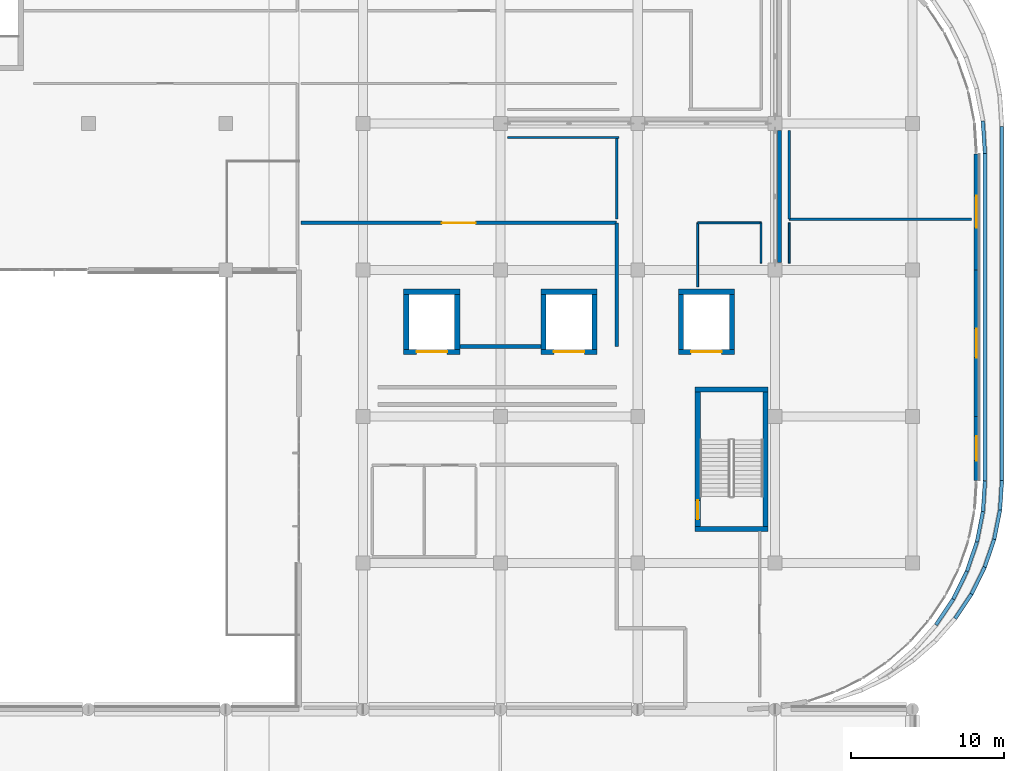
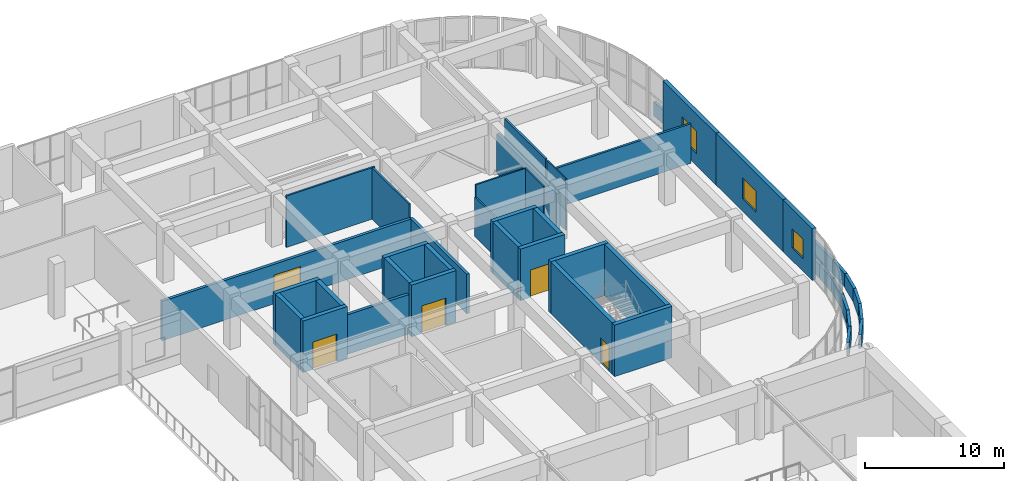
# One storey, part 72 of 96: 44 walls, 5 doors, 3 windows, 8 openings.
"""IFC4 building model written with IfcOpenShell, lengths in metres."""

from ifc_helpers import new_model, si_unit, direction, frame, frame_2d, origin, place, context, subcontext, project, spatial, rectangle, extrude, material, layer, layer_set, type_object, element, fill, save


model = new_model("IFC4")

# Units and contexts
model_context = context("Model", 3, precision=1e-05, world=origin(), true_north=direction((0.0, 1.0)))
body_context = subcontext(model_context, "Body", "Model", "MODEL_VIEW")
ifc_project = project(units=[si_unit("LENGTHUNIT", "METRE"), si_unit("AREAUNIT", "SQUARE_METRE"), si_unit("VOLUMEUNIT", "CUBIC_METRE"), si_unit("PLANEANGLEUNIT", "RADIAN"), si_unit("MASSUNIT", "GRAM", prefix="KILO")], contexts=[model_context])

# Site, building, storey
site_placement = place(None, origin())
site = spatial("IfcSite", under=ifc_project, at=site_placement, CompositionType="ELEMENT")
building_placement = place(site_placement, origin())
building = spatial("IfcBuilding", under=site, at=building_placement, Name="Cendralis Terraced Arcade", CompositionType="ELEMENT")
storey_placement = place(building_placement, frame((0.0, 0.0, 10.199951171875)))
storey = spatial("IfcBuildingStorey", under=building, at=storey_placement, Name="L02", CompositionType="ELEMENT", Elevation=10.199951171875)

# Walls
ifc_material_1 = material(Name="Concrete f'c 42 MPa", Category="concrete")
ifc_layer_1 = layer(ifc_material_1, 0.340087890625, Name="WL-CORE-340")
ifc_layer_set_1 = layer_set([ifc_layer_1], Name="Concrete f'c 42 MPa")
wall_type_1 = type_object("IfcWallType", Name="WL-CORE-340", PredefinedType="SHEAR", material=ifc_layer_set_1)
for number, where, z_axis, x_axis, name in (
    (1, (151.9599609375, 71.830078125, 0.0), (0.0, 0.0, 1.0), (1.0, 0.0, 0.0), "Stair Core Reinforced Concrete Shear Wall SW-ST-06-L02-S"),
    (2, (151.9599609375, 80.969970703125, 0.0), (0.0, 0.0, 1.0), (1.0, 0.0, 0.0), "Stair Core Reinforced Concrete Shear Wall SW-ST-06-L02-N"),
):
    element("IfcWall", number, at=place(storey_placement, frame(where, z_axis=z_axis, x_axis=x_axis)), inside=storey, type_object=wall_type_1, Name=name, PredefinedType="SHEAR", context=body_context, shape_type="SweptSolid", body=[
        extrude(rectangle(XDim=4.780029296875, YDim=0.340087890625, at=frame_2d((2.39013671875, 0.0))), origin(), (0.0, 0.0, 1.0), 4.51513671875),
    ])
wall_1_placement = place(storey_placement, frame((156.570068359375, 72.0, 0.0), z_axis=(0.0, 0.0, 1.0), x_axis=(0.0, 1.0, 0.0)))
element("IfcWall", 3, at=wall_1_placement, inside=storey, type_object=wall_type_1, Name="Stair Core Reinforced Concrete Shear Wall SW-ST-06-L02-E", PredefinedType="SHEAR", context=body_context, shape_type="SweptSolid", body=[
    extrude(rectangle(XDim=8.800048828125, YDim=0.340087890625, at=frame_2d((4.39990234375, 0.0))), origin(), (0.0, 0.0, 1.0), 4.51513671875),
])

# Wall, opening, door
wall_2_placement = place(storey_placement, frame((152.1298828125, 72.0, 0.0), z_axis=(0.0, 0.0, 1.0), x_axis=(0.0, 1.0, 0.0)))
wall_2 = element("IfcWall", 4, at=wall_2_placement, inside=storey, type_object=wall_type_1, Name="Stair Core Reinforced Concrete Shear Wall SW-ST-06-L02-W", PredefinedType="SHEAR", context=body_context, shape_type="SweptSolid", body=[
    extrude(rectangle(XDim=8.800048828125, YDim=0.340087890625, at=frame_2d((4.39990234375, 0.0))), origin(), (0.0, 0.0, 1.0), 4.51513671875),
])
opening_1_placement = place(wall_2_placement, frame((0.449951171875, 0.0, 0.0)))
opening_1 = element("IfcOpeningElement", 5, at=opening_1_placement, cuts=wall_2, Name="Opening D-ST-06-L02", PredefinedType="OPENING", context=body_context, shape_type="SweptSolid", body=[
    extrude(rectangle(XDim=1.25, YDim=2.199951171875, at=frame_2d((0.625, 1.10009765625))), frame((0.0, 0.18212890625, 0.0), z_axis=(0.0, -1.0, 0.0), x_axis=(1.0, 0.0, 0.0)), (0.0, 0.0, 1.0), 0.364013671875),
])
ifc_material_2 = material(Name="Galvanised fire-rated steel door assembly", Category="steel")
door_type_1 = type_object("IfcDoorType", Name="ID-ST-1250x2200", OperationType="NOTDEFINED", PredefinedType="DOOR", material=ifc_material_2)
door_1_placement = place(opening_1_placement, frame((1.25, 0.0, 0.0), z_axis=(0.0, 0.0, 1.0), x_axis=(-1.0, 0.0, 0.0)))
door_1 = element("IfcDoor", 6, at=door_1_placement, inside=storey, type_object=door_type_1, Name="Protected Stair ST-06 Fire Door (L02)", OperationType="SINGLE_SWING_RIGHT", OverallHeight=2.199951171875, OverallWidth=1.25, PredefinedType="DOOR", context=body_context, shape_type="SweptSolid", body=[
    extrude(rectangle(XDim=1.25, YDim=2.199951171875, at=frame_2d((0.625, 1.10009765625))), frame((0.0, 0.02490234375, 0.0), z_axis=(0.0, -1.0, 0.0), x_axis=(1.0, 0.0, 0.0)), (0.0, 0.0, 1.0), 0.050048828125),
])
fill(opening_1, door_1)

wall_3_placement = place(storey_placement, frame((132.860107421875, 83.429931640625, 0.0), z_axis=(0.0, 0.0, 1.0), x_axis=(1.0, 0.0, 0.0)))
wall_3 = element("IfcWall", 7, at=wall_3_placement, inside=storey, type_object=wall_type_1, Name="Lift GL-01 Reinforced Concrete Shaft Wall (L02)", PredefinedType="SHEAR", context=body_context, shape_type="SweptSolid", body=[
    extrude(rectangle(XDim=3.679931640625, YDim=0.340087890625, at=frame_2d((1.83984375, 0.0))), origin(), (0.0, 0.0, 1.0), 4.51513671875),
])
opening_2_placement = place(wall_3_placement, frame((0.840087890625, 0.0, 0.0)))
opening_2 = element("IfcOpeningElement", 8, at=opening_2_placement, cuts=wall_3, Name="Opening LD-GL-01-L02", PredefinedType="OPENING", context=body_context, shape_type="SweptSolid", body=[
    extrude(rectangle(XDim=2.0, YDim=2.39990234375, at=frame_2d((1.0, 1.199951171875))), frame((0.0, 0.18212890625, 0.0), z_axis=(0.0, -1.0, 0.0), x_axis=(1.0, 0.0, 0.0)), (0.0, 0.0, 1.0), 0.364013671875),
])
ifc_material_3 = material(Name="Anodised aluminium sliding door assembly", Category="aluminium")
door_type_2 = type_object("IfcDoorType", Name="ID-LD-GD-2000x2400", OperationType="DOUBLE_DOOR_SLIDING", PredefinedType="DOOR", material=ifc_material_3)
door_2_placement = place(opening_2_placement, origin())
door_2 = element("IfcDoor", 9, at=door_2_placement, inside=storey, type_object=door_type_2, Name="Lift GL-01 Sliding Landing Door (L02)", OperationType="DOUBLE_DOOR_SLIDING", OverallHeight=2.39990234375, OverallWidth=2.0, PredefinedType="DOOR", context=body_context, shape_type="SweptSolid", body=[
    extrude(rectangle(XDim=2.0, YDim=2.39990234375, at=frame_2d((1.0, 1.199951171875))), frame((0.0, 0.02490234375, 0.0), z_axis=(0.0, -1.0, 0.0), x_axis=(1.0, 0.0, 0.0)), (0.0, 0.0, 1.0), 0.050048828125),
])
fill(opening_2, door_2)

# Walls
wall_4_placement = place(storey_placement, frame((132.860107421875, 87.3701171875, 0.0), z_axis=(0.0, 0.0, 1.0), x_axis=(1.0, 0.0, 0.0)))
element("IfcWall", 10, at=wall_4_placement, inside=storey, type_object=wall_type_1, Name="Lift GL-01 Reinforced Concrete Shaft Wall (L02)", PredefinedType="SHEAR", context=body_context, shape_type="SweptSolid", body=[
    extrude(rectangle(XDim=3.679931640625, YDim=0.340087890625, at=frame_2d((1.83984375, 0.0))), origin(), (0.0, 0.0, 1.0), 4.51513671875),
])
for number, where, z_axis, x_axis, name in (
    (11, (133.030029296875, 83.60009765625, 0.0), (0.0, 0.0, 1.0), (0.0, 1.0, 0.0), "Lift GL-01 Reinforced Concrete Shaft Wall (L02)"),
    (12, (136.3701171875, 83.60009765625, 0.0), (0.0, 0.0, 1.0), (0.0, 1.0, 0.0), "Lift GL-01 Reinforced Concrete Shaft Wall (L02)"),
):
    element("IfcWall", number, at=place(storey_placement, frame(where, z_axis=z_axis, x_axis=x_axis)), inside=storey, type_object=wall_type_1, Name=name, PredefinedType="SHEAR", context=body_context, shape_type="SweptSolid", body=[
        extrude(rectangle(XDim=3.599853515625, YDim=0.340087890625, at=frame_2d((1.7998046875, 0.0))), origin(), (0.0, 0.0, 1.0), 4.51513671875),
    ])

# Wall, opening, door
wall_5_placement = place(storey_placement, frame((141.860107421875, 83.429931640625, 0.0), z_axis=(0.0, 0.0, 1.0), x_axis=(1.0, 0.0, 0.0)))
wall_5 = element("IfcWall", 13, at=wall_5_placement, inside=storey, type_object=wall_type_1, Name="Lift GL-02 Reinforced Concrete Shaft Wall (L02)", PredefinedType="SHEAR", context=body_context, shape_type="SweptSolid", body=[
    extrude(rectangle(XDim=3.679931640625, YDim=0.340087890625, at=frame_2d((1.83984375, 0.0))), origin(), (0.0, 0.0, 1.0), 4.51513671875),
])
opening_3_placement = place(wall_5_placement, frame((0.840087890625, 0.0, 0.0)))
opening_3 = element("IfcOpeningElement", 14, at=opening_3_placement, cuts=wall_5, Name="Opening LD-GL-02-L02", PredefinedType="OPENING", context=body_context, shape_type="SweptSolid", body=[
    extrude(rectangle(XDim=2.0, YDim=2.39990234375, at=frame_2d((1.0, 1.199951171875))), frame((0.0, 0.18212890625, 0.0), z_axis=(0.0, -1.0, 0.0), x_axis=(1.0, 0.0, 0.0)), (0.0, 0.0, 1.0), 0.364013671875),
])
door_3_placement = place(opening_3_placement, origin())
door_3 = element("IfcDoor", 15, at=door_3_placement, inside=storey, type_object=door_type_2, Name="Lift GL-02 Sliding Landing Door (L02)", OperationType="DOUBLE_DOOR_SLIDING", OverallHeight=2.39990234375, OverallWidth=2.0, PredefinedType="DOOR", context=body_context, shape_type="SweptSolid", body=[
    extrude(rectangle(XDim=2.0, YDim=2.39990234375, at=frame_2d((1.0, 1.199951171875))), frame((0.0, 0.02490234375, 0.0), z_axis=(0.0, -1.0, 0.0), x_axis=(1.0, 0.0, 0.0)), (0.0, 0.0, 1.0), 0.050048828125),
])
fill(opening_3, door_3)

# Walls
wall_6_placement = place(storey_placement, frame((141.860107421875, 87.3701171875, 0.0), z_axis=(0.0, 0.0, 1.0), x_axis=(1.0, 0.0, 0.0)))
element("IfcWall", 16, at=wall_6_placement, inside=storey, type_object=wall_type_1, Name="Lift GL-02 Reinforced Concrete Shaft Wall (L02)", PredefinedType="SHEAR", context=body_context, shape_type="SweptSolid", body=[
    extrude(rectangle(XDim=3.679931640625, YDim=0.340087890625, at=frame_2d((1.83984375, 0.0))), origin(), (0.0, 0.0, 1.0), 4.51513671875),
])
for number, where, z_axis, x_axis, name in (
    (17, (142.030029296875, 83.60009765625, 0.0), (0.0, 0.0, 1.0), (0.0, 1.0, 0.0), "Lift GL-02 Reinforced Concrete Shaft Wall (L02)"),
    (18, (145.3701171875, 83.60009765625, 0.0), (0.0, 0.0, 1.0), (0.0, 1.0, 0.0), "Lift GL-02 Reinforced Concrete Shaft Wall (L02)"),
):
    element("IfcWall", number, at=place(storey_placement, frame(where, z_axis=z_axis, x_axis=x_axis)), inside=storey, type_object=wall_type_1, Name=name, PredefinedType="SHEAR", context=body_context, shape_type="SweptSolid", body=[
        extrude(rectangle(XDim=3.599853515625, YDim=0.340087890625, at=frame_2d((1.7998046875, 0.0))), origin(), (0.0, 0.0, 1.0), 4.51513671875),
    ])

# Wall, opening, door
wall_7_placement = place(storey_placement, frame((150.860107421875, 83.429931640625, 0.0), z_axis=(0.0, 0.0, 1.0), x_axis=(1.0, 0.0, 0.0)))
wall_7 = element("IfcWall", 19, at=wall_7_placement, inside=storey, type_object=wall_type_1, Name="Lift GL-03 Reinforced Concrete Shaft Wall (L02)", PredefinedType="SHEAR", context=body_context, shape_type="SweptSolid", body=[
    extrude(rectangle(XDim=3.679931640625, YDim=0.340087890625, at=frame_2d((1.83984375, 0.0))), origin(), (0.0, 0.0, 1.0), 4.51513671875),
])
opening_4_placement = place(wall_7_placement, frame((0.840087890625, 0.0, 0.0)))
opening_4 = element("IfcOpeningElement", 20, at=opening_4_placement, cuts=wall_7, Name="Opening LD-GL-03-L02", PredefinedType="OPENING", context=body_context, shape_type="SweptSolid", body=[
    extrude(rectangle(XDim=2.0, YDim=2.39990234375, at=frame_2d((1.0, 1.199951171875))), frame((0.0, 0.18212890625, 0.0), z_axis=(0.0, -1.0, 0.0), x_axis=(1.0, 0.0, 0.0)), (0.0, 0.0, 1.0), 0.364013671875),
])
door_4_placement = place(opening_4_placement, origin())
door_4 = element("IfcDoor", 21, at=door_4_placement, inside=storey, type_object=door_type_2, Name="Lift GL-03 Sliding Landing Door (L02)", OperationType="DOUBLE_DOOR_SLIDING", OverallHeight=2.39990234375, OverallWidth=2.0, PredefinedType="DOOR", context=body_context, shape_type="SweptSolid", body=[
    extrude(rectangle(XDim=2.0, YDim=2.39990234375, at=frame_2d((1.0, 1.199951171875))), frame((0.0, 0.02490234375, 0.0), z_axis=(0.0, -1.0, 0.0), x_axis=(1.0, 0.0, 0.0)), (0.0, 0.0, 1.0), 0.050048828125),
])
fill(opening_4, door_4)

# Walls
wall_8_placement = place(storey_placement, frame((150.860107421875, 87.3701171875, 0.0), z_axis=(0.0, 0.0, 1.0), x_axis=(1.0, 0.0, 0.0)))
element("IfcWall", 22, at=wall_8_placement, inside=storey, type_object=wall_type_1, Name="Lift GL-03 Reinforced Concrete Shaft Wall (L02)", PredefinedType="SHEAR", context=body_context, shape_type="SweptSolid", body=[
    extrude(rectangle(XDim=3.679931640625, YDim=0.340087890625, at=frame_2d((1.83984375, 0.0))), origin(), (0.0, 0.0, 1.0), 4.51513671875),
])
for number, where, z_axis, x_axis, name in (
    (23, (151.030029296875, 83.60009765625, 0.0), (0.0, 0.0, 1.0), (0.0, 1.0, 0.0), "Lift GL-03 Reinforced Concrete Shaft Wall (L02)"),
    (24, (154.3701171875, 83.60009765625, 0.0), (0.0, 0.0, 1.0), (0.0, 1.0, 0.0), "Lift GL-03 Reinforced Concrete Shaft Wall (L02)"),
):
    element("IfcWall", number, at=place(storey_placement, frame(where, z_axis=z_axis, x_axis=x_axis)), inside=storey, type_object=wall_type_1, Name=name, PredefinedType="SHEAR", context=body_context, shape_type="SweptSolid", body=[
        extrude(rectangle(XDim=3.599853515625, YDim=0.340087890625, at=frame_2d((1.7998046875, 0.0))), origin(), (0.0, 0.0, 1.0), 4.51513671875),
    ])

# Wall, opening, window
ifc_material_4 = material(Name="Precast concrete f'c 40 MPa", Category="concrete")
ifc_layer_2 = layer(ifc_material_4, 0.300048828125, Name="WL-EXT-GRC-300")
ifc_layer_set_2 = layer_set([ifc_layer_2], Name="Precast concrete f'c 40 MPa")
wall_type_2 = type_object("IfcWallType", Name="WL-EXT-GRC-300", PredefinedType="SOLIDWALL", material=ifc_layer_set_2)
wall_9_placement = place(storey_placement, frame((170.39990234375, 96.39990234375, 0.0), z_axis=(0.0, 0.0, 1.0), x_axis=(0.0, -1.0, 0.0)))
wall_9 = element("IfcWall", 25, at=wall_9_placement, inside=storey, type_object=wall_type_2, Name="Exterior Architectural Wall EW-L02-0188", PredefinedType="SOLIDWALL", context=body_context, shape_type="SweptSolid", body=[
    extrude(rectangle(XDim=7.599853515625, YDim=0.300048828125, at=frame_2d((3.7998046875, 0.0))), origin(), (0.0, 0.0, 1.0), 4.51513671875),
])
opening_5_placement = place(wall_9_placement, frame((2.75, 0.0, 1.050048828125)))
opening_5 = element("IfcOpeningElement", 26, at=opening_5_placement, cuts=wall_9, Name="Opening W-12", PredefinedType="OPENING", context=body_context, shape_type="SweptSolid", body=[
    extrude(rectangle(XDim=2.10009765625, YDim=1.949951171875, at=frame_2d((1.050048828125, 0.97509765625))), frame((0.0, 0.162109375, 0.0), z_axis=(0.0, -1.0, 0.0), x_axis=(1.0, 0.0, 0.0)), (0.0, 0.0, 1.0), 0.323974609375),
])
ifc_material_5 = material(Name="Tempered solar control laminated glass", Category="glass")
window_type_1 = type_object("IfcWindowType", Name="WN-F2-2100x1950", PartitioningType="SINGLE_PANEL", PredefinedType="WINDOW", material=ifc_material_5)
window_1_placement = place(opening_5_placement, origin())
window_1 = element("IfcWindow", 27, at=window_1_placement, inside=storey, type_object=window_type_1, Name="Exterior Solar-Control Window WN-L02-0121", OverallHeight=1.949951171875, OverallWidth=2.10009765625, PartitioningType="SINGLE_PANEL", PredefinedType="WINDOW", context=body_context, shape_type="SweptSolid", body=[
    extrude(rectangle(XDim=2.10009765625, YDim=1.949951171875, at=frame_2d((1.050048828125, 0.97509765625))), frame((0.0, 0.030029296875, 0.0), z_axis=(0.0, -1.0, 0.0), x_axis=(1.0, 0.0, 0.0)), (0.0, 0.0, 1.0), 0.06005859375),
])
fill(opening_5, window_1)

wall_10_placement = place(storey_placement, frame((170.39990234375, 88.800048828125, 0.0), z_axis=(0.0, 0.0, 1.0), x_axis=(0.0, -1.0, 0.0)))
wall_10 = element("IfcWall", 28, at=wall_10_placement, inside=storey, type_object=wall_type_2, Name="Exterior Architectural Wall EW-L02-0189", PredefinedType="SOLIDWALL", context=body_context, shape_type="SweptSolid", body=[
    extrude(rectangle(XDim=9.60009765625, YDim=0.300048828125, at=frame_2d((4.800048828125, 0.0))), origin(), (0.0, 0.0, 1.0), 4.51513671875),
])
opening_6_placement = place(wall_10_placement, frame((3.85009765625, 0.0, 1.10009765625)))
opening_6 = element("IfcOpeningElement", 29, at=opening_6_placement, cuts=wall_10, Name="Opening W-13", PredefinedType="OPENING", context=body_context, shape_type="SweptSolid", body=[
    extrude(rectangle(XDim=1.89990234375, YDim=1.85009765625, at=frame_2d((0.949951171875, 0.925048828125))), frame((0.0, 0.162109375, 0.0), z_axis=(0.0, -1.0, 0.0), x_axis=(1.0, 0.0, 0.0)), (0.0, 0.0, 1.0), 0.323974609375),
])
window_type_2 = type_object("IfcWindowType", Name="WN-F2-1900x1850", PartitioningType="SINGLE_PANEL", PredefinedType="WINDOW", material=ifc_material_5)
window_2_placement = place(opening_6_placement, origin())
window_2 = element("IfcWindow", 30, at=window_2_placement, inside=storey, type_object=window_type_2, Name="Exterior Solar-Control Window WN-L02-0122", OverallHeight=1.85009765625, OverallWidth=1.89990234375, PartitioningType="SINGLE_PANEL", PredefinedType="WINDOW", context=body_context, shape_type="SweptSolid", body=[
    extrude(rectangle(XDim=1.89990234375, YDim=1.85009765625, at=frame_2d((0.949951171875, 0.925048828125))), frame((0.0, 0.030029296875, 0.0), z_axis=(0.0, -1.0, 0.0), x_axis=(1.0, 0.0, 0.0)), (0.0, 0.0, 1.0), 0.06005859375),
])
fill(opening_6, window_2)

wall_11_placement = place(storey_placement, frame((170.39990234375, 79.199951171875, 0.0), z_axis=(0.0, 0.0, 1.0), x_axis=(0.0, -1.0, 0.0)))
wall_11 = element("IfcWall", 31, at=wall_11_placement, inside=storey, type_object=wall_type_2, Name="Exterior Architectural Wall EW-L02-0190", PredefinedType="SOLIDWALL", context=body_context, shape_type="SweptSolid", body=[
    extrude(rectangle(XDim=4.199951171875, YDim=0.300048828125, at=frame_2d((2.10009765625, 0.0))), origin(), (0.0, 0.0, 1.0), 4.51513671875),
])
opening_7_placement = place(wall_11_placement, frame((1.300048828125, 0.0, 1.10009765625)))
opening_7 = element("IfcOpeningElement", 32, at=opening_7_placement, cuts=wall_11, Name="Opening W-28", PredefinedType="OPENING", context=body_context, shape_type="SweptSolid", body=[
    extrude(rectangle(XDim=1.60009765625, YDim=1.699951171875, at=frame_2d((0.800048828125, 0.85009765625))), frame((0.0, 0.162109375, 0.0), z_axis=(0.0, -1.0, 0.0), x_axis=(1.0, 0.0, 0.0)), (0.0, 0.0, 1.0), 0.323974609375),
])
window_type_3 = type_object("IfcWindowType", Name="WN-F3-1600x1700", PartitioningType="SINGLE_PANEL", PredefinedType="WINDOW", material=ifc_material_5)
window_3_placement = place(opening_7_placement, origin())
window_3 = element("IfcWindow", 33, at=window_3_placement, inside=storey, type_object=window_type_3, Name="Exterior Solar-Control Window WN-L02-0123", OverallHeight=1.699951171875, OverallWidth=1.60009765625, PartitioningType="SINGLE_PANEL", PredefinedType="WINDOW", context=body_context, shape_type="SweptSolid", body=[
    extrude(rectangle(XDim=1.60009765625, YDim=1.699951171875, at=frame_2d((0.800048828125, 0.85009765625))), frame((0.0, 0.030029296875, 0.0), z_axis=(0.0, -1.0, 0.0), x_axis=(1.0, 0.0, 0.0)), (0.0, 0.0, 1.0), 0.06005859375),
])
fill(opening_7, window_3)

# Wall, opening, door
ifc_material_6 = material(Name="Autoclaved aerated concrete blockwork", Category="masonry")
ifc_layer_3 = layer(ifc_material_6, 0.235107421875, Name="WL-FIRE-235")
ifc_layer_set_3 = layer_set([ifc_layer_3], Name="Autoclaved aerated concrete blockwork")
wall_type_3 = type_object("IfcWallType", Name="WL-FIRE-235", PredefinedType="PARTITIONING", material=ifc_layer_set_3)
wall_12_placement = place(storey_placement, frame((126.1201171875, 91.8798828125, 0.0), z_axis=(0.0, 0.0, 1.0), x_axis=(1.0, 0.0, 0.0)))
wall_12 = element("IfcWall", 34, at=wall_12_placement, inside=storey, type_object=wall_type_3, Name="Interior Partition Wall IW-L02-0499", PredefinedType="PARTITIONING", context=body_context, shape_type="SweptSolid", body=[
    extrude(rectangle(XDim=20.699951171875, YDim=0.235107421875, at=frame_2d((10.35009765625, 0.0))), origin(), (0.0, 0.0, 1.0), 3.455078125),
])
opening_8_placement = place(wall_12_placement, frame((9.25, 0.0, 0.0)))
opening_8 = element("IfcOpeningElement", 35, at=opening_8_placement, cuts=wall_12, Name="Opening D-L02-136", PredefinedType="OPENING", context=body_context, shape_type="SweptSolid", body=[
    extrude(rectangle(XDim=2.199951171875, YDim=2.5, at=frame_2d((1.10009765625, 1.25))), frame((0.0, 0.12939453125, 0.0), z_axis=(0.0, -1.0, 0.0), x_axis=(1.0, 0.0, 0.0)), (0.0, 0.0, 1.0), 0.259033203125),
])
door_type_3 = type_object("IfcDoorType", Name="ID-STK-2200x2500", OperationType="DOUBLE_DOOR_SINGLE_SWING", PredefinedType="DOOR", material=ifc_material_2)
door_5_placement = place(opening_8_placement, origin())
door_5 = element("IfcDoor", 36, at=door_5_placement, inside=storey, type_object=door_type_3, Name="Central Stockrooms and Automated Picking - L02 Door D-L02-136", OperationType="DOUBLE_DOOR_SINGLE_SWING", OverallHeight=2.5, OverallWidth=2.199951171875, PredefinedType="DOOR", context=body_context, shape_type="SweptSolid", body=[
    extrude(rectangle(XDim=2.199951171875, YDim=2.5, at=frame_2d((1.10009765625, 1.25))), frame((0.0, 0.02490234375, 0.0), z_axis=(0.0, -1.0, 0.0), x_axis=(1.0, 0.0, 0.0)), (0.0, 0.0, 1.0), 0.050048828125),
])
fill(opening_8, door_5)

# Walls
wall_13_placement = place(storey_placement, frame((146.820068359375, 91.8798828125, 0.0), z_axis=(0.0, 0.0, 1.0), x_axis=(0.0, -1.0, 0.0)))
element("IfcWall", 37, at=wall_13_placement, inside=storey, type_object=wall_type_3, Name="Interior Partition Wall IW-L02-0504", PredefinedType="PARTITIONING", context=body_context, shape_type="SweptSolid", body=[
    extrude(rectangle(XDim=8.099853515625, YDim=0.235107421875, at=frame_2d((4.0498046875, 0.0))), origin(), (0.0, 0.0, 1.0), 3.455078125),
])
wall_14_placement = place(storey_placement, frame((141.860107421875, 83.780029296875, 0.0), z_axis=(0.0, 0.0, 1.0), x_axis=(-1.0, 0.0, 0.0)))
element("IfcWall", 38, at=wall_14_placement, inside=storey, type_object=wall_type_3, Name="Interior Partition Wall IW-L02-0506", PredefinedType="PARTITIONING", context=body_context, shape_type="SweptSolid", body=[
    extrude(rectangle(XDim=5.320068359375, YDim=0.235107421875, at=frame_2d((2.66015625, 0.0))), origin(), (0.0, 0.0, 1.0), 3.455078125),
])
ifc_layer_4 = layer(ifc_material_6, 0.260009765625, Name="WL-FIRE-260")
ifc_layer_set_4 = layer_set([ifc_layer_4], Name="Autoclaved aerated concrete blockwork")
wall_type_4 = type_object("IfcWallType", Name="WL-FIRE-260", PredefinedType="PARTITIONING", material=ifc_layer_set_4)
wall_15_placement = place(storey_placement, frame((157.47998046875, 89.280029296875, 0.0), z_axis=(0.0, 0.0, 1.0), x_axis=(0.0, 1.0, 0.0)))
element("IfcWall", 39, at=wall_15_placement, inside=storey, type_object=wall_type_4, Name="Braced Bay Fire Enclosure Wall IW-BRC-L02-03", PredefinedType="PARTITIONING", context=body_context, shape_type="SweptSolid", body=[
    extrude(rectangle(XDim=8.639892578125, YDim=0.260009765625, at=frame_2d((4.31982421875, 0.0))), origin(), (0.0, 0.0, 1.0), 3.455078125),
])
ifc_layer_5 = layer(ifc_material_4, 0.22998046875, Name="WL-PAR-230")
ifc_layer_set_5 = layer_set([ifc_layer_5], Name="Precast concrete f'c 40 MPa")
wall_type_5 = type_object("IfcWallType", Name="WL-PAR-230", PredefinedType="PARAPET", material=ifc_layer_set_5)
wall_16_placement = place(storey_placement, frame((172.06494140625, 98.199951171875, 0.0), z_axis=(0.0, 0.0, 1.0), x_axis=(0.0, -1.0, 0.0)))
element("IfcWall", 40, at=wall_16_placement, inside=storey, type_object=wall_type_5, Name="Precast Concrete Roof Parapet Wall PAR-L02-049", PredefinedType="PARAPET", context=body_context, shape_type="SweptSolid", body=[
    extrude(rectangle(XDim=23.199951171875, YDim=0.22998046875, at=frame_2d((11.60009765625, 0.0))), origin(), (0.0, 0.0, 1.0), 1.199951171875),
])
wall_17_placement = place(storey_placement, frame((172.065185546875, 75.0087890625, 0.0), z_axis=(0.0, 0.0, 1.0), x_axis=(-0.065321538715, -0.997864267614, 0.0)))
element("IfcWall", 41, at=wall_17_placement, inside=storey, type_object=wall_type_5, Name="Precast Concrete Roof Parapet Wall PAR-L02-050", PredefinedType="PARAPET", context=body_context, shape_type="SweptSolid", body=[
    extrude(rectangle(XDim=1.962158203125, YDim=0.22998046875, at=frame_2d((0.98095703125, 0.0))), origin(), (0.0, 0.0, 1.0), 1.199951171875),
])
wall_18_placement = place(storey_placement, frame((171.939208984375, 73.068359375, 0.0), z_axis=(0.0, 0.0, 1.0), x_axis=(-0.19511099609, -0.980781167848, 0.0)))
element("IfcWall", 42, at=wall_18_placement, inside=storey, type_object=wall_type_5, Name="Precast Concrete Roof Parapet Wall PAR-L02-051", PredefinedType="PARAPET", context=body_context, shape_type="SweptSolid", body=[
    extrude(rectangle(XDim=1.9619140625, YDim=0.22998046875, at=frame_2d((0.98095703125, 0.0))), origin(), (0.0, 0.0, 1.0), 1.199951171875),
])
wall_19_placement = place(storey_placement, frame((171.56103515625, 71.1611328125, 0.0), z_axis=(0.0, 0.0, 1.0), x_axis=(-0.321374047672, -0.946952333269, 0.0)))
element("IfcWall", 43, at=wall_19_placement, inside=storey, type_object=wall_type_5, Name="Precast Concrete Roof Parapet Wall PAR-L02-052", PredefinedType="PARAPET", context=body_context, shape_type="SweptSolid", body=[
    extrude(rectangle(XDim=1.962158203125, YDim=0.22998046875, at=frame_2d((0.98095703125, 0.0))), origin(), (0.0, 0.0, 1.0), 1.199951171875),
])
wall_20_placement = place(storey_placement, frame((170.93701171875, 69.3193359375, 0.0), z_axis=(0.0, 0.0, 1.0), x_axis=(-0.4422787716, -0.896877632786, 0.0)))
element("IfcWall", 44, at=wall_20_placement, inside=storey, type_object=wall_type_5, Name="Precast Concrete Roof Parapet Wall PAR-L02-053", PredefinedType="PARAPET", context=body_context, shape_type="SweptSolid", body=[
    extrude(rectangle(XDim=1.9619140625, YDim=0.22998046875, at=frame_2d((0.98095703125, 0.0))), origin(), (0.0, 0.0, 1.0), 1.199951171875),
])
wall_21_placement = place(storey_placement, frame((170.078125, 67.574951171875, 0.0), z_axis=(0.0, 0.0, 1.0), x_axis=(-0.555590048032, -0.831456371993, 0.0)))
element("IfcWall", 45, at=wall_21_placement, inside=storey, type_object=wall_type_5, Name="Precast Concrete Roof Parapet Wall PAR-L02-054", PredefinedType="PARAPET", context=body_context, shape_type="SweptSolid", body=[
    extrude(rectangle(XDim=1.962158203125, YDim=0.22998046875, at=frame_2d((0.98095703125, 0.0))), origin(), (0.0, 0.0, 1.0), 1.199951171875),
])
wall_22_placement = place(storey_placement, frame((167.746337890625, 65.537353515625, 0.0), z_axis=(0.0, 0.0, 1.0), x_axis=(0.555621500763, 0.831435354006, 0.0)))
element("IfcWall", 46, at=wall_22_placement, inside=storey, type_object=wall_type_5, Name="Precast Concrete Roof Parapet Wall PAR-L02-064", PredefinedType="PARAPET", context=body_context, shape_type="SweptSolid", body=[
    extrude(rectangle(XDim=2.017333984375, YDim=0.22998046875, at=frame_2d((1.0087890625, 0.0))), origin(), (0.0, 0.0, 1.0), 1.199951171875),
])
wall_23_placement = place(storey_placement, frame((168.8759765625, 67.229736328125, 0.0), z_axis=(0.0, 0.0, 1.0), x_axis=(0.442365831584, 0.896834695497, 0.0)))
element("IfcWall", 47, at=wall_23_placement, inside=storey, type_object=wall_type_5, Name="Precast Concrete Roof Parapet Wall PAR-L02-065", PredefinedType="PARAPET", context=body_context, shape_type="SweptSolid", body=[
    extrude(rectangle(XDim=2.01708984375, YDim=0.22998046875, at=frame_2d((1.008544921875, 0.0))), origin(), (0.0, 0.0, 1.0), 1.199951171875),
])
for number, where, z_axis, x_axis, name in (
    (48, (169.77490234375, 69.05517578125, 0.0), (0.0, 0.0, 1.0), (0.321451389675, 0.946926081633, 0.0), "Precast Concrete Roof Parapet Wall PAR-L02-066"),
    (49, (170.427978515625, 70.982421875, 0.0), (0.0, 0.0, 1.0), (0.194975549611, 0.980808103073, 0.0), "Precast Concrete Roof Parapet Wall PAR-L02-067"),
):
    element("IfcWall", number, at=place(storey_placement, frame(where, z_axis=z_axis, x_axis=x_axis)), inside=storey, type_object=wall_type_5, Name=name, PredefinedType="PARAPET", context=body_context, shape_type="SweptSolid", body=[
        extrude(rectangle(XDim=2.017333984375, YDim=0.22998046875, at=frame_2d((1.0087890625, 0.0))), origin(), (0.0, 0.0, 1.0), 1.199951171875),
    ])
wall_24_placement = place(storey_placement, frame((170.82373046875, 72.978515625, 0.0), z_axis=(0.0, 0.0, 1.0), x_axis=(0.065321841332, 0.997864247804, 0.0)))
element("IfcWall", 50, at=wall_24_placement, inside=storey, type_object=wall_type_5, Name="Precast Concrete Roof Parapet Wall PAR-L02-068", PredefinedType="PARAPET", context=body_context, shape_type="SweptSolid", body=[
    extrude(rectangle(XDim=2.00341796875, YDim=0.22998046875, at=frame_2d((1.001708984375, 0.0))), origin(), (0.0, 0.0, 1.0), 1.199951171875),
])
wall_25_placement = place(storey_placement, frame((170.955078125, 74.986328125, 0.0), z_axis=(0.0, 0.0, 1.0), x_axis=(0.0, 1.0, 0.0)))
element("IfcWall", 51, at=wall_25_placement, inside=storey, type_object=wall_type_5, Name="Precast Concrete Roof Parapet Wall PAR-L02-069", PredefinedType="PARAPET", context=body_context, shape_type="SweptSolid", body=[
    extrude(rectangle(XDim=21.427490234375, YDim=0.22998046875, at=frame_2d((10.7138671875, 0.0))), origin(), (0.0, 0.0, 1.0), 1.199951171875),
])
wall_26_placement = place(storey_placement, frame((170.95458984375, 96.422607421875, 0.0), z_axis=(0.0, 0.0, 1.0), x_axis=(-0.065326794354, 0.997863923558, 0.0)))
element("IfcWall", 52, at=wall_26_placement, inside=storey, type_object=wall_type_5, Name="Precast Concrete Roof Parapet Wall PAR-L02-070", PredefinedType="PARAPET", context=body_context, shape_type="SweptSolid", body=[
    extrude(rectangle(XDim=2.134033203125, YDim=0.22998046875, at=frame_2d((1.06689453125, 0.0))), origin(), (0.0, 0.0, 1.0), 1.199951171875),
])
ifc_material_7 = material(Name="Gypsum plasterboard acoustic partition", Category="concrete")
ifc_layer_6 = layer(ifc_material_7, 0.114990234375, Name="WL-PART-115")
ifc_layer_set_6 = layer_set([ifc_layer_6], Name="Gypsum plasterboard acoustic partition")
wall_type_6 = type_object("IfcWallType", Name="WL-PART-115", PredefinedType="PARTITIONING", material=ifc_layer_set_6)
wall_27_placement = place(storey_placement, frame((158.1201171875, 89.25, 0.0), z_axis=(0.0, 0.0, 1.0), x_axis=(0.0, 1.0, 0.0)))
element("IfcWall", 53, at=wall_27_placement, inside=storey, type_object=wall_type_6, Name="Interior Partition Wall IW-L02-0527", PredefinedType="PARTITIONING", context=body_context, shape_type="SweptSolid", body=[
    extrude(rectangle(XDim=2.6298828125, YDim=0.114990234375, at=frame_2d((1.31494140625, 0.0))), origin(), (0.0, 0.0, 1.0), 4.51513671875),
])
ifc_layer_7 = layer(ifc_material_7, 0.117919921875, Name="WL-PART-118")
ifc_layer_set_7 = layer_set([ifc_layer_7], Name="Gypsum plasterboard acoustic partition")
wall_type_7 = type_object("IfcWallType", Name="WL-PART-118", PredefinedType="PARTITIONING", material=ifc_layer_set_7)
wall_28_placement = place(storey_placement, frame((156.280029296875, 91.8798828125, 0.0), z_axis=(0.0, 0.0, 1.0), x_axis=(0.0, -1.0, 0.0)))
element("IfcWall", 54, at=wall_28_placement, inside=storey, type_object=wall_type_7, Name="Interior Partition Wall IW-L02-0526", PredefinedType="PARTITIONING", context=body_context, shape_type="SweptSolid", body=[
    extrude(rectangle(XDim=2.6298828125, YDim=0.117919921875, at=frame_2d((1.31494140625, 0.0))), origin(), (0.0, 0.0, 1.0), 4.51513671875),
])
ifc_layer_8 = layer(ifc_material_7, 0.1220703125, Name="WL-PART-122")
ifc_layer_set_8 = layer_set([ifc_layer_8], Name="Gypsum plasterboard acoustic partition")
wall_type_8 = type_object("IfcWallType", Name="WL-PART-122", PredefinedType="PARTITIONING", material=ifc_layer_set_8)
wall_29_placement = place(storey_placement, frame((152.1201171875, 91.8798828125, 0.0), z_axis=(0.0, 0.0, 1.0), x_axis=(1.0, 0.0, 0.0)))
element("IfcWall", 55, at=wall_29_placement, inside=storey, type_object=wall_type_8, Name="Interior Partition Wall IW-L02-0525", PredefinedType="PARTITIONING", context=body_context, shape_type="SweptSolid", body=[
    extrude(rectangle(XDim=4.159912109375, YDim=0.1220703125, at=frame_2d((2.080078125, 0.0))), origin(), (0.0, 0.0, 1.0), 4.51513671875),
])
ifc_layer_9 = layer(ifc_material_7, 0.1259765625, Name="WL-PART-126")
ifc_layer_set_9 = layer_set([ifc_layer_9], Name="Gypsum plasterboard acoustic partition")
wall_type_9 = type_object("IfcWallType", Name="WL-PART-126", PredefinedType="PARTITIONING", material=ifc_layer_set_9)
wall_30_placement = place(storey_placement, frame((152.1201171875, 87.679931640625, 0.0), z_axis=(0.0, 0.0, 1.0), x_axis=(0.0, 1.0, 0.0)))
element("IfcWall", 56, at=wall_30_placement, inside=storey, type_object=wall_type_9, Name="Interior Partition Wall IW-L02-0524", PredefinedType="PARTITIONING", context=body_context, shape_type="SweptSolid", body=[
    extrude(rectangle(XDim=4.199951171875, YDim=0.1259765625, at=frame_2d((2.10009765625, 0.0))), origin(), (0.0, 0.0, 1.0), 3.455078125),
])
ifc_layer_10 = layer(ifc_material_7, 0.137939453125, Name="WL-PART-138")
ifc_layer_set_10 = layer_set([ifc_layer_10], Name="Gypsum plasterboard acoustic partition")
wall_type_10 = type_object("IfcWallType", Name="WL-PART-138", PredefinedType="PARTITIONING", material=ifc_layer_set_10)
wall_31_placement = place(storey_placement, frame((146.820068359375, 97.407470703125, 0.0), z_axis=(0.0, 0.0, 1.0), x_axis=(0.0, -1.0, 0.0)))
element("IfcWall", 57, at=wall_31_placement, inside=storey, type_object=wall_type_10, Name="Interior Partition Wall IW-L02-0522", PredefinedType="PARTITIONING", context=body_context, shape_type="SweptSolid", body=[
    extrude(rectangle(XDim=5.287353515625, YDim=0.137939453125, at=frame_2d((2.6435546875, 0.0))), origin(), (0.0, 0.0, 1.0), 4.51513671875),
])
ifc_layer_11 = layer(ifc_material_7, 0.14501953125, Name="WL-PART-145")
ifc_layer_set_11 = layer_set([ifc_layer_11], Name="Gypsum plasterboard acoustic partition")
wall_type_11 = type_object("IfcWallType", Name="WL-PART-145", PredefinedType="PARTITIONING", material=ifc_layer_set_11)
wall_32_placement = place(storey_placement, frame((139.64990234375, 97.47998046875, 0.0), z_axis=(0.0, 0.0, 1.0), x_axis=(1.0, 0.0, 0.0)))
element("IfcWall", 58, at=wall_32_placement, inside=storey, type_object=wall_type_11, Name="Interior Partition Wall IW-L02-0520", PredefinedType="PARTITIONING", context=body_context, shape_type="SweptSolid", body=[
    extrude(rectangle(XDim=7.3310546875, YDim=0.14501953125, at=frame_2d((3.66552734375, 0.0))), origin(), (0.0, 0.0, 1.0), 4.51513671875),
])
ifc_layer_12 = layer(ifc_material_7, 0.159912109375, Name="WL-PART-160")
ifc_layer_set_12 = layer_set([ifc_layer_12], Name="Gypsum plasterboard acoustic partition")
wall_type_12 = type_object("IfcWallType", Name="WL-PART-160", PredefinedType="PARTITIONING", material=ifc_layer_set_12)
wall_33_placement = place(storey_placement, frame((158.1201171875, 92.1201171875, 0.0), z_axis=(0.0, 0.0, 1.0), x_axis=(0.0, 1.0, 0.0)))
element("IfcWall", 59, at=wall_33_placement, inside=storey, type_object=wall_type_12, Name="Interior Partition Wall IW-L02-0518", PredefinedType="PARTITIONING", context=body_context, shape_type="SweptSolid", body=[
    extrude(rectangle(XDim=5.829833984375, YDim=0.159912109375, at=frame_2d((2.9150390625, 0.0))), origin(), (0.0, 0.0, 1.0), 4.51513671875),
])
ifc_layer_13 = layer(ifc_material_7, 0.175048828125, Name="WL-PART-175")
ifc_layer_set_13 = layer_set([ifc_layer_13], Name="Gypsum plasterboard acoustic partition")
wall_type_13 = type_object("IfcWallType", Name="WL-PART-175", PredefinedType="PARTITIONING", material=ifc_layer_set_13)
wall_34_placement = place(storey_placement, frame((170.06005859375, 92.1201171875, 0.0), z_axis=(0.0, 0.0, 1.0), x_axis=(-1.0, 0.0, 0.0)))
element("IfcWall", 60, at=wall_34_placement, inside=storey, type_object=wall_type_13, Name="Interior Partition Wall IW-L02-0515", PredefinedType="PARTITIONING", context=body_context, shape_type="SweptSolid", body=[
    extrude(rectangle(XDim=11.93994140625, YDim=0.175048828125, at=frame_2d((5.969970703125, 0.0))), origin(), (0.0, 0.0, 1.0), 3.455078125),
])

save(model, "model.ifc")
